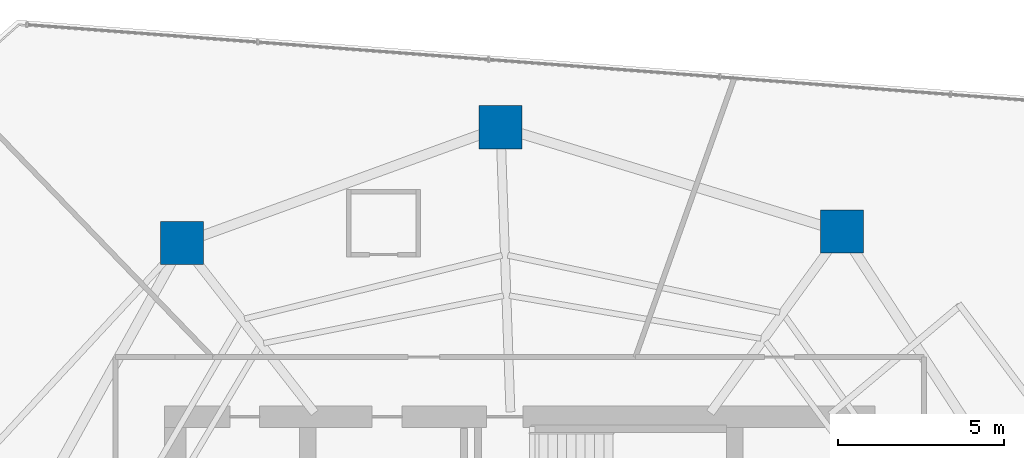
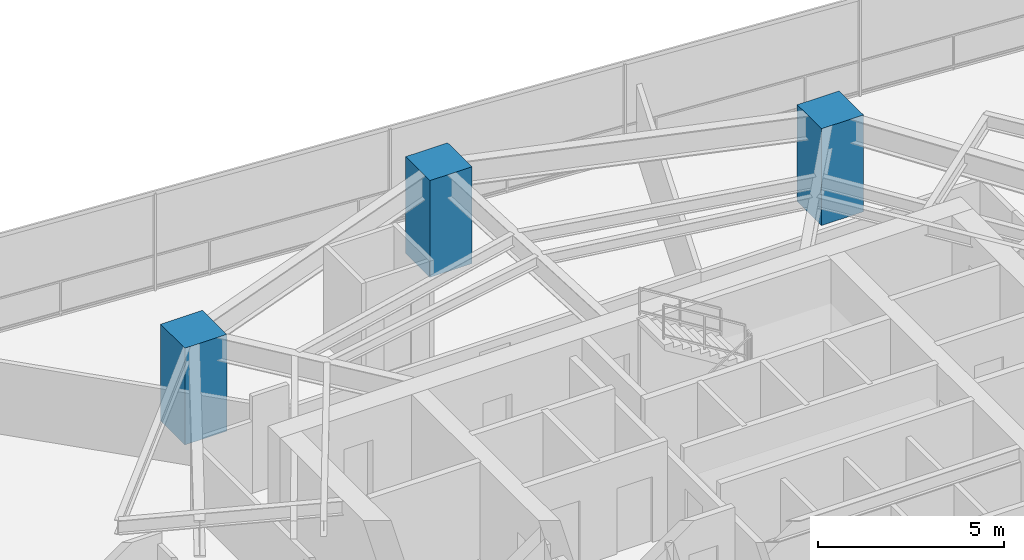
# One storey, part 2 of 30: 3 columns.
"""IFC4 building model written with IfcOpenShell, lengths in metres."""

from ifc_helpers import new_model, si_unit, direction, frame, origin, origin_2d, place, context, subcontext, project, spatial, rectangle, extrude, material, material_profile, profile_set, type_object, element, save


model = new_model("IFC4")

# Units and contexts
model_context = context("Model", 3, precision=1e-05, world=origin(), true_north=direction((0.0, 1.0)))
body_context = subcontext(model_context, "Body", "Model", "MODEL_VIEW")
ifc_project = project(units=[si_unit("LENGTHUNIT", "METRE"), si_unit("AREAUNIT", "SQUARE_METRE"), si_unit("VOLUMEUNIT", "CUBIC_METRE"), si_unit("PLANEANGLEUNIT", "RADIAN"), si_unit("MASSUNIT", "GRAM", prefix="KILO")], contexts=[model_context])

# Site, building, storey
site_placement = place(None, origin())
site = spatial("IfcSite", under=ifc_project, at=site_placement, CompositionType="ELEMENT")
building_placement = place(site_placement, origin())
building = spatial("IfcBuilding", under=site, at=building_placement, Name="Qarnah Convention Tower", CompositionType="ELEMENT")
storey_placement = place(building_placement, frame((0.0, 0.0, 51.14990234375)))
storey = spatial("IfcBuildingStorey", under=building, at=storey_placement, Name="L12", CompositionType="ELEMENT", Elevation=51.14990234375)

# Columns
ifc_material = material(Name="Concrete C60/75", Category="concrete")
ifc_material_profile = material_profile(ifc_material, rectangle(XDim=1.300048828125, YDim=1.300048828125, at=origin_2d()), Name="RC-COL-1300X1300")
ifc_profile_set = profile_set([ifc_material_profile], Name="Concrete C60/75")
column_type = type_object("IfcColumnType", Name="COL-Z1-1300", PredefinedType="COLUMN", material=ifc_profile_set)
for number, where, z_axis, x_axis, name in (
    (1, (46.927978515625, 39.7890625, 0.0), (0.0, 0.0, 1.0), (1.0, 0.0, 0.0), "L12 plumb column PC-Z1-02"),
    (2, (36.6220703125, 42.93994140625, 0.0), (0.0, 0.0, 1.0), (1.0, 0.0, 0.0), "L12 plumb column PC-Z1-03"),
    (3, (27.010986328125, 39.44189453125, 0.0), (0.0, 0.0, 1.0), (1.0, 0.0, 0.0), "L12 plumb column PC-Z1-04"),
):
    element("IfcColumn", number, at=place(storey_placement, frame(where, z_axis=z_axis, x_axis=x_axis)), inside=storey, type_object=column_type, Name=name, PredefinedType="COLUMN", context=body_context, shape_type="SweptSolid", body=[
        extrude(rectangle(XDim=1.300048828125, YDim=1.300048828125, at=origin_2d()), origin(), (0.0, 0.0, 1.0), 3.170166015625),
    ])

save(model, "model.ifc")
